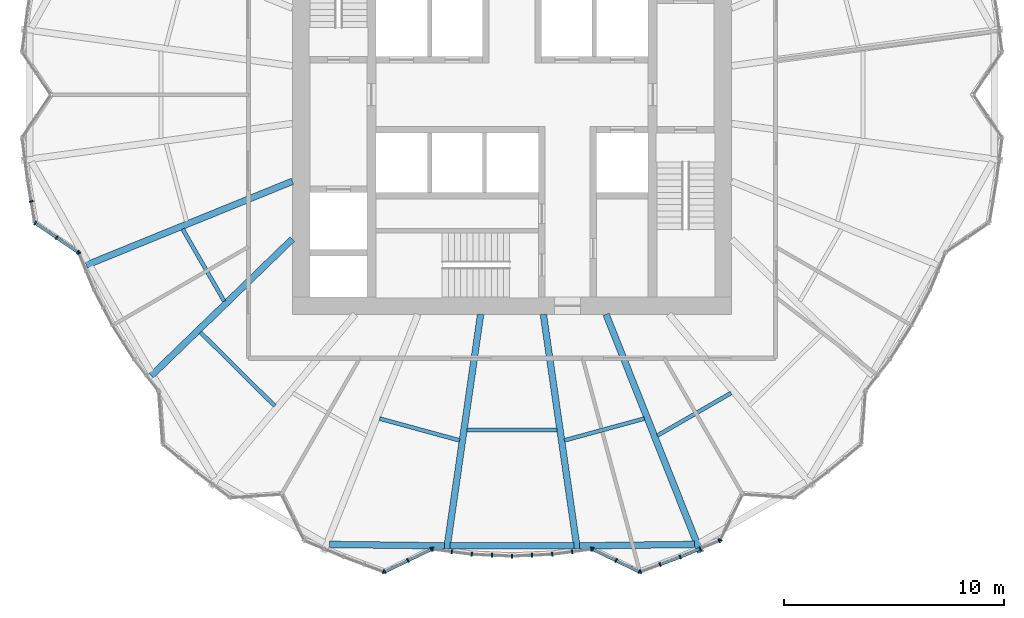
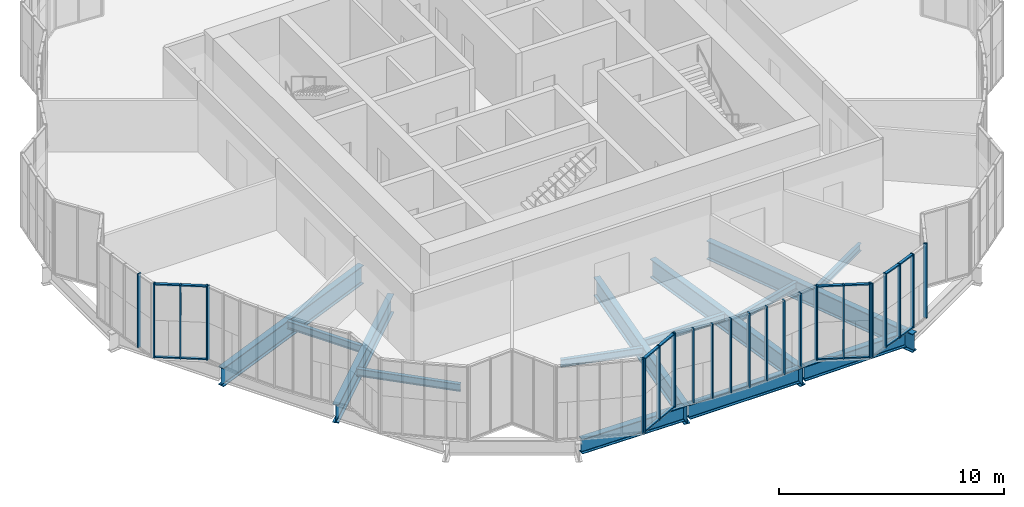
# One storey, part 2 of 22: 43 members, 14 beams, 13 elements without a shape of their own.
"""IFC4 building model written with IfcOpenShell, lengths in metres."""

from ifc_helpers import new_model, si_unit, direction, frame, origin, origin_2d, place, context, subcontext, project, spatial, rectangle, i_section, extrude, material, material_profile, profile_set, type_object, element, aggregate, save


model = new_model("IFC4")

# Units and contexts
model_context = context("Model", 3, precision=1e-05, world=origin(), true_north=direction((0.0, 1.0)))
body_context = subcontext(model_context, "Body", "Model", "MODEL_VIEW")
ifc_project = project(units=[si_unit("LENGTHUNIT", "METRE"), si_unit("AREAUNIT", "SQUARE_METRE"), si_unit("VOLUMEUNIT", "CUBIC_METRE"), si_unit("PLANEANGLEUNIT", "RADIAN"), si_unit("MASSUNIT", "GRAM", prefix="KILO")], contexts=[model_context])

# Site, building, storey
site_placement = place(None, origin())
site = spatial("IfcSite", under=ifc_project, at=site_placement, CompositionType="ELEMENT")
building_placement = place(site_placement, origin())
building = spatial("IfcBuilding", under=site, at=building_placement, Name="Golbaran Civic Tower", CompositionType="ELEMENT")
storey_placement = place(building_placement, frame((0.0, 0.0, 29.0)))
storey = spatial("IfcBuildingStorey", under=building, at=storey_placement, Name="L06", CompositionType="ELEMENT", Elevation=29.0)

# Beams
ifc_material_1 = material(Name="Steel S355", Category="steel")
ifc_material_profile_1 = material_profile(ifc_material_1, i_section(OverallWidth=0.300048828125, OverallDepth=0.800048828125, WebThickness=0.017578125, FlangeThickness=0.032958984375, FilletRadius=0.030029296875, at=origin_2d()), Name="HEB 800")
ifc_profile_set_1 = profile_set([ifc_material_profile_1], Name="Steel S355")
beam_type_1 = type_object("IfcBeamType", Name="EDGE BEAM HEB 800", PredefinedType="BEAM", material=ifc_profile_set_1)
beam_1_placement = place(storey_placement, frame((-8.302734375, -20.47509765625, -0.60009765625), z_axis=(0.999918616473, -0.012757759606, 0.0), x_axis=(0.012757759606, 0.999918616473, 0.0)))
element("IfcBeam", 1, at=beam_1_placement, inside=storey, type_object=beam_type_1, Name="Edge beam 247.63 L06", PredefinedType="BEAM", context=body_context, shape_type="SweptSolid", body=[
    extrude(i_section(OverallWidth=0.300048828125, OverallDepth=0.800048828125, WebThickness=0.017578125, FlangeThickness=0.032958984375, FilletRadius=0.030029296875, at=origin_2d()), origin(), (0.0, 0.0, 1.0), 5.224365234375),
])
beam_2_placement = place(storey_placement, frame((-2.81640625, -20.54345703125, -0.60009765625), z_axis=(1.0, 0.0, 0.0), x_axis=(0.0, 1.0, 0.0)))
element("IfcBeam", 2, at=beam_2_placement, inside=storey, type_object=beam_type_1, Name="Edge beam 261.83 L06", PredefinedType="BEAM", context=body_context, shape_type="SweptSolid", body=[
    extrude(i_section(OverallWidth=0.300048828125, OverallDepth=0.800048828125, WebThickness=0.017578125, FlangeThickness=0.032958984375, FilletRadius=0.030029296875, at=origin_2d()), origin(), (0.0, 0.0, 1.0), 5.6328125),
])
beam_3_placement = place(storey_placement, frame((3.078857421875, -20.541748046875, -0.60009765625), z_axis=(0.999918616473, 0.012757759606, 0.0), x_axis=(-0.012757759606, 0.999918616473, 0.0)))
element("IfcBeam", 3, at=beam_3_placement, inside=storey, type_object=beam_type_1, Name="Edge beam 278.17 L06", PredefinedType="BEAM", context=body_context, shape_type="SweptSolid", body=[
    extrude(i_section(OverallWidth=0.300048828125, OverallDepth=0.800048828125, WebThickness=0.017578125, FlangeThickness=0.032958984375, FilletRadius=0.030029296875, at=origin_2d()), origin(), (0.0, 0.0, 1.0), 5.224365234375),
])
ifc_material_profile_2 = material_profile(ifc_material_1, i_section(OverallWidth=0.179931640625, OverallDepth=0.39990234375, WebThickness=0.008544921875, FlangeThickness=0.013427734375, FilletRadius=0.02099609375, at=origin_2d()), Name="IPE 400")
ifc_profile_set_2 = profile_set([ifc_material_profile_2], Name="Steel S355")
beam_type_2 = type_object("IfcBeamType", Name="FLOOR INFILL BEAM IPE 400", PredefinedType="BEAM", material=ifc_profile_set_2)
beam_4_placement = place(storey_placement, frame((-14.9990234375, -6.117431640625, -0.39990234375), z_axis=(0.499964129797, -0.866046112465, 0.0), x_axis=(0.866046112465, 0.499964129797, 0.0)))
element("IfcBeam", 4, at=beam_4_placement, inside=storey, type_object=beam_type_2, Name="Infill beam 210.00 L06", PredefinedType="BEAM", context=body_context, shape_type="SweptSolid", body=[
    extrude(i_section(OverallWidth=0.179931640625, OverallDepth=0.39990234375, WebThickness=0.008544921875, FlangeThickness=0.013427734375, FilletRadius=0.02099609375, at=origin_2d()), origin(), (0.0, 0.0, 1.0), 3.789306640625),
])
beam_5_placement = place(storey_placement, frame((-14.18994140625, -10.813232421875, -0.39990234375), z_axis=(0.710429956517, -0.703767914077, 0.0), x_axis=(0.703767914077, 0.710429956517, 0.0)))
element("IfcBeam", 5, at=beam_5_placement, inside=storey, type_object=beam_type_2, Name="Infill beam 225.27 L06", PredefinedType="BEAM", context=body_context, shape_type="SweptSolid", body=[
    extrude(i_section(OverallWidth=0.179931640625, OverallDepth=0.39990234375, WebThickness=0.008544921875, FlangeThickness=0.013427734375, FilletRadius=0.02099609375, at=origin_2d()), origin(), (0.0, 0.0, 1.0), 4.76416015625),
])
beam_6_placement = place(storey_placement, frame((-6.029052734375, -14.745849609375, -0.39990234375), z_axis=(0.964690661411, -0.263385511726, 0.0), x_axis=(0.263385511726, 0.964690661411, 0.0)))
element("IfcBeam", 6, at=beam_6_placement, inside=storey, type_object=beam_type_2, Name="Infill beam 254.73 L06", PredefinedType="BEAM", context=body_context, shape_type="SweptSolid", body=[
    extrude(i_section(OverallWidth=0.179931640625, OverallDepth=0.39990234375, WebThickness=0.008544921875, FlangeThickness=0.013427734375, FilletRadius=0.02099609375, at=origin_2d()), origin(), (0.0, 0.0, 1.0), 3.775390625),
])
beam_7_placement = place(storey_placement, frame((-2.056884765625, -15.271728515625, -0.39990234375), z_axis=(1.0, 0.0, 0.0), x_axis=(0.0, 1.0, 0.0)))
element("IfcBeam", 7, at=beam_7_placement, inside=storey, type_object=beam_type_2, Name="Infill beam 270.00 L06", PredefinedType="BEAM", context=body_context, shape_type="SweptSolid", body=[
    extrude(i_section(OverallWidth=0.179931640625, OverallDepth=0.39990234375, WebThickness=0.008544921875, FlangeThickness=0.013427734375, FilletRadius=0.02099609375, at=origin_2d()), origin(), (0.0, 0.0, 1.0), 4.11376953125),
])
beam_8_placement = place(storey_placement, frame((2.386962890625, -15.740234375, -0.39990234375), z_axis=(0.964690661411, 0.263385511726, 0.0), x_axis=(-0.263385511726, 0.964690661411, 0.0)))
element("IfcBeam", 8, at=beam_8_placement, inside=storey, type_object=beam_type_2, Name="Infill beam 285.27 L06", PredefinedType="BEAM", context=body_context, shape_type="SweptSolid", body=[
    extrude(i_section(OverallWidth=0.179931640625, OverallDepth=0.39990234375, WebThickness=0.008544921875, FlangeThickness=0.013427734375, FilletRadius=0.02099609375, at=origin_2d()), origin(), (0.0, 0.0, 1.0), 3.775390625),
])
beam_9_placement = place(storey_placement, frame((6.616455078125, -15.521240234375, -0.39990234375), z_axis=(0.866023143435, 0.50000391502, 0.0), x_axis=(-0.50000391502, 0.866023143435, 0.0)))
element("IfcBeam", 9, at=beam_9_placement, inside=storey, type_object=beam_type_2, Name="Infill beam 300.00 L06", PredefinedType="BEAM", context=body_context, shape_type="SweptSolid", body=[
    extrude(i_section(OverallWidth=0.179931640625, OverallDepth=0.39990234375, WebThickness=0.008544921875, FlangeThickness=0.013427734375, FilletRadius=0.02099609375, at=origin_2d()), origin(), (0.0, 0.0, 1.0), 3.87939453125),
])

# Curtain wall, member
ifc_material_2 = material(Name="Aluminium and glass", Category="aluminium")
curtain_wall_type = type_object("IfcCurtainWallType", Name="INNER SKIN CURTAIN WALL", PredefinedType="NOTDEFINED", material=ifc_material_2)
curtain_wall_1_placement = place(storey_placement, origin())
curtain_wall_1 = element("IfcCurtainWall", 10, at=curtain_wall_1_placement, inside=storey, type_object=curtain_wall_type, Name="Inner skin L06 facet 39 CW1", ObjectType="INNER SKIN", PredefinedType="USERDEFINED")
ifc_material_3 = material(Name="Aluminium", Category="aluminium")
ifc_material_profile_3 = material_profile(ifc_material_3, rectangle(XDim=0.179931640625, YDim=0.06494140625, at=origin_2d()), Name="INNER SKIN CURTAIN WALL MULLION")
ifc_profile_set_3 = profile_set([ifc_material_profile_3], Name="Aluminium")
member_type_1 = type_object("IfcMemberType", Name="INNER SKIN CURTAIN WALL MULLION", PredefinedType="MULLION", material=ifc_profile_set_3)
member_1_placement = place(storey_placement, frame((-21.896484375, -4.856689453125, 0.0), z_axis=(0.0, 0.0, 1.0), x_axis=(0.986391272574, 0.164414894066, 0.0)))
member_1 = element("IfcMember", 11, at=member_1_placement, type_object=member_type_1, Name="CW1 mullion 2", PredefinedType="MULLION", context=body_context, shape_type="SweptSolid", body=[
    extrude(rectangle(XDim=0.179931640625, YDim=0.06494140625, at=origin_2d()), origin(), (0.0, 0.0, 1.0), 4.0),
])
aggregate(curtain_wall_1, [member_1])

# Curtain wall, members
curtain_wall_2_placement = place(storey_placement, origin())
curtain_wall_2 = element("IfcCurtainWall", 12, at=curtain_wall_2_placement, inside=storey, type_object=curtain_wall_type, Name="Inner skin L06 facet 40 CW1", ObjectType="INNER SKIN", PredefinedType="USERDEFINED")
member_2_placement = place(storey_placement, frame((-21.70849609375, -5.84228515625, 0.0), z_axis=(0.0, 0.0, 1.0), x_axis=(0.562936359185, 0.826500245316, 0.0)))
member_2 = element("IfcMember", 13, at=member_2_placement, type_object=member_type_1, Name="CW1 mullion 1", PredefinedType="MULLION", context=body_context, shape_type="SweptSolid", body=[
    extrude(rectangle(XDim=0.179931640625, YDim=0.06494140625, at=origin_2d()), origin(), (0.0, 0.0, 1.0), 4.0),
])
member_3_placement = place(storey_placement, frame((-20.73681640625, -6.504150390625, 0.0), z_axis=(0.0, 0.0, 1.0), x_axis=(0.562936359185, 0.826500245316, 0.0)))
member_3 = element("IfcMember", 14, at=member_3_placement, type_object=member_type_1, Name="CW1 mullion 2", PredefinedType="MULLION", context=body_context, shape_type="SweptSolid", body=[
    extrude(rectangle(XDim=0.179931640625, YDim=0.06494140625, at=origin_2d()), origin(), (0.0, 0.0, 1.0), 4.0),
])
member_4_placement = place(storey_placement, frame((-19.76513671875, -7.165771484375, 0.0), z_axis=(0.0, 0.0, 1.0), x_axis=(0.562936359185, 0.826500245316, 0.0)))
member_4 = element("IfcMember", 15, at=member_4_placement, type_object=member_type_1, Name="CW1 mullion 3", PredefinedType="MULLION", context=body_context, shape_type="SweptSolid", body=[
    extrude(rectangle(XDim=0.179931640625, YDim=0.06494140625, at=origin_2d()), origin(), (0.0, 0.0, 1.0), 4.0),
])

# Curtain wall, member
curtain_wall_3_placement = place(storey_placement, origin())
curtain_wall_3 = element("IfcCurtainWall", 16, at=curtain_wall_3_placement, inside=storey, type_object=curtain_wall_type, Name="Inner skin L06 facet 41 CW1", ObjectType="INNER SKIN", PredefinedType="USERDEFINED")
member_5_placement = place(storey_placement, frame((-19.725830078125, -7.214111328125, 0.0), z_axis=(0.0, 0.0, 1.0), x_axis=(0.923879532471, 0.382683432462, 0.0)))
member_5 = element("IfcMember", 17, at=member_5_placement, type_object=member_type_1, Name="CW1 mullion 1", PredefinedType="MULLION", context=body_context, shape_type="SweptSolid", body=[
    extrude(rectangle(XDim=0.179931640625, YDim=0.06494140625, at=origin_2d()), origin(), (0.0, 0.0, 1.0), 4.0),
])
aggregate(curtain_wall_3, [member_5])

curtain_wall_4_placement = place(storey_placement, origin())
curtain_wall_4 = element("IfcCurtainWall", 18, at=curtain_wall_4_placement, inside=storey, type_object=curtain_wall_type, Name="Inner skin L06 facet 51 CW1", ObjectType="INNER SKIN", PredefinedType="USERDEFINED")
member_6_placement = place(storey_placement, frame((-5.8544921875, -21.723876953125, 0.0), z_axis=(0.0, 0.0, 1.0), x_axis=(0.350808161461, 0.936447347079, 0.0)))
member_6 = element("IfcMember", 19, at=member_6_placement, type_object=member_type_1, Name="CW1 mullion 3", PredefinedType="MULLION", context=body_context, shape_type="SweptSolid", body=[
    extrude(rectangle(XDim=0.179931640625, YDim=0.06494140625, at=origin_2d()), origin(), (0.0, 0.0, 1.0), 4.0),
])
aggregate(curtain_wall_4, [member_6])

# Curtain wall, members
curtain_wall_5_placement = place(storey_placement, origin())
curtain_wall_5 = element("IfcCurtainWall", 20, at=curtain_wall_5_placement, inside=storey, type_object=curtain_wall_type, Name="Inner skin L06 facet 52 CW1", ObjectType="INNER SKIN", PredefinedType="USERDEFINED")
member_7_placement = place(storey_placement, frame((-5.794677734375, -21.72119140625, 0.0), z_axis=(0.0, 0.0, 1.0), x_axis=(-0.434302029259, 0.900767310343, 0.0)))
member_7 = element("IfcMember", 21, at=member_7_placement, type_object=member_type_1, Name="CW1 mullion 1", PredefinedType="MULLION", context=body_context, shape_type="SweptSolid", body=[
    extrude(rectangle(XDim=0.179931640625, YDim=0.06494140625, at=origin_2d()), origin(), (0.0, 0.0, 1.0), 4.0),
])
member_8_placement = place(storey_placement, frame((-4.735595703125, -21.210693359375, 0.0), z_axis=(0.0, 0.0, 1.0), x_axis=(-0.434302029259, 0.900767310343, 0.0)))
member_8 = element("IfcMember", 22, at=member_8_placement, type_object=member_type_1, Name="CW1 mullion 2", PredefinedType="MULLION", context=body_context, shape_type="SweptSolid", body=[
    extrude(rectangle(XDim=0.179931640625, YDim=0.06494140625, at=origin_2d()), origin(), (0.0, 0.0, 1.0), 4.0),
])
member_9_placement = place(storey_placement, frame((-3.6767578125, -20.699951171875, 0.0), z_axis=(0.0, 0.0, 1.0), x_axis=(-0.434302029259, 0.900767310343, 0.0)))
member_9 = element("IfcMember", 23, at=member_9_placement, type_object=member_type_1, Name="CW1 mullion 3", PredefinedType="MULLION", context=body_context, shape_type="SweptSolid", body=[
    extrude(rectangle(XDim=0.179931640625, YDim=0.06494140625, at=origin_2d()), origin(), (0.0, 0.0, 1.0), 4.0),
])

curtain_wall_6_placement = place(storey_placement, origin())
curtain_wall_6 = element("IfcCurtainWall", 24, at=curtain_wall_6_placement, inside=storey, type_object=curtain_wall_type, Name="Inner skin L06 facet 53 CW1", ObjectType="INNER SKIN", PredefinedType="USERDEFINED")
member_10_placement = place(storey_placement, frame((-3.615234375, -20.690185546875, 0.0), z_axis=(0.0, 0.0, 1.0), x_axis=(0.130526191978, 0.991444861406, 0.0)))
member_10 = element("IfcMember", 25, at=member_10_placement, type_object=member_type_1, Name="CW1 mullion 1", PredefinedType="MULLION", context=body_context, shape_type="SweptSolid", body=[
    extrude(rectangle(XDim=0.179931640625, YDim=0.06494140625, at=origin_2d()), origin(), (0.0, 0.0, 1.0), 4.0),
])
member_11_placement = place(storey_placement, frame((-2.739013671875, -20.805419921875, 0.0), z_axis=(0.0, 0.0, 1.0), x_axis=(0.130526191978, 0.991444861406, 0.0)))
member_11 = element("IfcMember", 26, at=member_11_placement, type_object=member_type_1, Name="CW1 mullion 2", PredefinedType="MULLION", context=body_context, shape_type="SweptSolid", body=[
    extrude(rectangle(XDim=0.179931640625, YDim=0.06494140625, at=origin_2d()), origin(), (0.0, 0.0, 1.0), 4.0),
])
member_12_placement = place(storey_placement, frame((-1.830810546875, -20.925048828125, 0.0), z_axis=(0.0, 0.0, 1.0), x_axis=(0.087155742748, 0.996194698092, 0.0)))
member_12 = element("IfcMember", 27, at=member_12_placement, type_object=member_type_1, Name="CW1 mullion 3", PredefinedType="MULLION", context=body_context, shape_type="SweptSolid", body=[
    extrude(rectangle(XDim=0.179931640625, YDim=0.06494140625, at=origin_2d()), origin(), (0.0, 0.0, 1.0), 4.0),
])
aggregate(curtain_wall_6, [member_10, member_11, member_12])

curtain_wall_7_placement = place(storey_placement, origin())
curtain_wall_7 = element("IfcCurtainWall", 28, at=curtain_wall_7_placement, inside=storey, type_object=curtain_wall_type, Name="Inner skin L06 facet 54 CW1", ObjectType="INNER SKIN", PredefinedType="USERDEFINED")
member_13_placement = place(storey_placement, frame((-0.915283203125, -20.965087890625, 0.0), z_axis=(0.0, 0.0, 1.0), x_axis=(0.043619387609, 0.999048221571, 0.0)))
member_13 = element("IfcMember", 29, at=member_13_placement, type_object=member_type_1, Name="CW1 mullion 2", PredefinedType="MULLION", context=body_context, shape_type="SweptSolid", body=[
    extrude(rectangle(XDim=0.179931640625, YDim=0.06494140625, at=origin_2d()), origin(), (0.0, 0.0, 1.0), 4.0),
])
member_14_placement = place(storey_placement, frame((0.0, -21.0048828125, 0.0), z_axis=(0.0, 0.0, 1.0), x_axis=(1.22e-10, 1.0, 0.0)))
member_14 = element("IfcMember", 30, at=member_14_placement, type_object=member_type_1, Name="CW1 mullion 3", PredefinedType="MULLION", context=body_context, shape_type="SweptSolid", body=[
    extrude(rectangle(XDim=0.179931640625, YDim=0.06494140625, at=origin_2d()), origin(), (0.0, 0.0, 1.0), 4.0),
])
aggregate(curtain_wall_7, [member_13, member_14])

curtain_wall_8_placement = place(storey_placement, origin())
curtain_wall_8 = element("IfcCurtainWall", 31, at=curtain_wall_8_placement, inside=storey, type_object=curtain_wall_type, Name="Inner skin L06 facet 55 CW1", ObjectType="INNER SKIN", PredefinedType="USERDEFINED")
member_15_placement = place(storey_placement, frame((0.915283203125, -20.965087890625, 0.0), z_axis=(0.0, 0.0, 1.0), x_axis=(-0.043619387609, 0.999048221571, 0.0)))
member_15 = element("IfcMember", 32, at=member_15_placement, type_object=member_type_1, Name="CW1 mullion 2", PredefinedType="MULLION", context=body_context, shape_type="SweptSolid", body=[
    extrude(rectangle(XDim=0.179931640625, YDim=0.06494140625, at=origin_2d()), origin(), (0.0, 0.0, 1.0), 4.0),
])
member_16_placement = place(storey_placement, frame((1.830810546875, -20.925048828125, 0.0), z_axis=(0.0, 0.0, 1.0), x_axis=(-0.08715574273, 0.996194698093, 0.0)))
member_16 = element("IfcMember", 33, at=member_16_placement, type_object=member_type_1, Name="CW1 mullion 3", PredefinedType="MULLION", context=body_context, shape_type="SweptSolid", body=[
    extrude(rectangle(XDim=0.179931640625, YDim=0.06494140625, at=origin_2d()), origin(), (0.0, 0.0, 1.0), 4.0),
])
aggregate(curtain_wall_8, [member_15, member_16])

curtain_wall_9_placement = place(storey_placement, origin())
curtain_wall_9 = element("IfcCurtainWall", 34, at=curtain_wall_9_placement, inside=storey, type_object=curtain_wall_type, Name="Inner skin L06 facet 56 CW1", ObjectType="INNER SKIN", PredefinedType="USERDEFINED")
member_17_placement = place(storey_placement, frame((2.739013671875, -20.805419921875, 0.0), z_axis=(0.0, 0.0, 1.0), x_axis=(-0.130526191978, 0.991444861406, 0.0)))
member_17 = element("IfcMember", 35, at=member_17_placement, type_object=member_type_1, Name="CW1 mullion 2", PredefinedType="MULLION", context=body_context, shape_type="SweptSolid", body=[
    extrude(rectangle(XDim=0.179931640625, YDim=0.06494140625, at=origin_2d()), origin(), (0.0, 0.0, 1.0), 4.0),
])
member_18_placement = place(storey_placement, frame((3.615234375, -20.690185546875, 0.0), z_axis=(0.0, 0.0, 1.0), x_axis=(-0.130526191978, 0.991444861406, 0.0)))
member_18 = element("IfcMember", 36, at=member_18_placement, type_object=member_type_1, Name="CW1 mullion 3", PredefinedType="MULLION", context=body_context, shape_type="SweptSolid", body=[
    extrude(rectangle(XDim=0.179931640625, YDim=0.06494140625, at=origin_2d()), origin(), (0.0, 0.0, 1.0), 4.0),
])
aggregate(curtain_wall_9, [member_17, member_18])

curtain_wall_10_placement = place(storey_placement, origin())
curtain_wall_10 = element("IfcCurtainWall", 37, at=curtain_wall_10_placement, inside=storey, type_object=curtain_wall_type, Name="Inner skin L06 facet 57 CW1", ObjectType="INNER SKIN", PredefinedType="USERDEFINED")
member_19_placement = place(storey_placement, frame((3.6767578125, -20.699951171875, 0.0), z_axis=(0.0, 0.0, 1.0), x_axis=(0.434302029259, 0.900767310343, 0.0)))
member_19 = element("IfcMember", 38, at=member_19_placement, type_object=member_type_1, Name="CW1 mullion 1", PredefinedType="MULLION", context=body_context, shape_type="SweptSolid", body=[
    extrude(rectangle(XDim=0.179931640625, YDim=0.06494140625, at=origin_2d()), origin(), (0.0, 0.0, 1.0), 4.0),
])
member_20_placement = place(storey_placement, frame((4.735595703125, -21.210693359375, 0.0), z_axis=(0.0, 0.0, 1.0), x_axis=(0.434302029259, 0.900767310343, 0.0)))
member_20 = element("IfcMember", 39, at=member_20_placement, type_object=member_type_1, Name="CW1 mullion 2", PredefinedType="MULLION", context=body_context, shape_type="SweptSolid", body=[
    extrude(rectangle(XDim=0.179931640625, YDim=0.06494140625, at=origin_2d()), origin(), (0.0, 0.0, 1.0), 4.0),
])
member_21_placement = place(storey_placement, frame((5.794677734375, -21.72119140625, 0.0), z_axis=(0.0, 0.0, 1.0), x_axis=(0.434302029259, 0.900767310343, 0.0)))
member_21 = element("IfcMember", 40, at=member_21_placement, type_object=member_type_1, Name="CW1 mullion 3", PredefinedType="MULLION", context=body_context, shape_type="SweptSolid", body=[
    extrude(rectangle(XDim=0.179931640625, YDim=0.06494140625, at=origin_2d()), origin(), (0.0, 0.0, 1.0), 4.0),
])

curtain_wall_11_placement = place(storey_placement, origin())
curtain_wall_11 = element("IfcCurtainWall", 41, at=curtain_wall_11_placement, inside=storey, type_object=curtain_wall_type, Name="Inner skin L06 facet 58 CW1", ObjectType="INNER SKIN", PredefinedType="USERDEFINED")
member_22_placement = place(storey_placement, frame((5.8544921875, -21.723876953125, 0.0), z_axis=(0.0, 0.0, 1.0), x_axis=(-0.350808161461, 0.936447347079, 0.0)))
member_22 = element("IfcMember", 42, at=member_22_placement, type_object=member_type_1, Name="CW1 mullion 1", PredefinedType="MULLION", context=body_context, shape_type="SweptSolid", body=[
    extrude(rectangle(XDim=0.179931640625, YDim=0.06494140625, at=origin_2d()), origin(), (0.0, 0.0, 1.0), 4.0),
])
member_23_placement = place(storey_placement, frame((6.7421875, -21.391357421875, 0.0), z_axis=(0.0, 0.0, 1.0), x_axis=(-0.350808161461, 0.936447347079, 0.0)))
member_23 = element("IfcMember", 43, at=member_23_placement, type_object=member_type_1, Name="CW1 mullion 2", PredefinedType="MULLION", context=body_context, shape_type="SweptSolid", body=[
    extrude(rectangle(XDim=0.179931640625, YDim=0.06494140625, at=origin_2d()), origin(), (0.0, 0.0, 1.0), 4.0),
])
member_24_placement = place(storey_placement, frame((7.66064453125, -21.047119140625, 0.0), z_axis=(0.0, 0.0, 1.0), x_axis=(-0.366799627817, 0.930299969383, 0.0)))
member_24 = element("IfcMember", 44, at=member_24_placement, type_object=member_type_1, Name="CW1 mullion 3", PredefinedType="MULLION", context=body_context, shape_type="SweptSolid", body=[
    extrude(rectangle(XDim=0.179931640625, YDim=0.06494140625, at=origin_2d()), origin(), (0.0, 0.0, 1.0), 4.0),
])

curtain_wall_12_placement = place(storey_placement, origin())
curtain_wall_12 = element("IfcCurtainWall", 45, at=curtain_wall_12_placement, inside=storey, type_object=curtain_wall_type, Name="Inner skin L06 facet 59 CW1", ObjectType="INNER SKIN", PredefinedType="USERDEFINED")
member_25_placement = place(storey_placement, frame((8.563232421875, -20.67333984375, 0.0), z_axis=(0.0, 0.0, 1.0), x_axis=(-0.382683432268, 0.923879532551, 0.0)))
member_25 = element("IfcMember", 46, at=member_25_placement, type_object=member_type_1, Name="CW1 mullion 2", PredefinedType="MULLION", context=body_context, shape_type="SweptSolid", body=[
    extrude(rectangle(XDim=0.179931640625, YDim=0.06494140625, at=origin_2d()), origin(), (0.0, 0.0, 1.0), 4.0),
])
member_26_placement = place(storey_placement, frame((9.435791015625, -20.31201171875, 0.0), z_axis=(0.0, 0.0, 1.0), x_axis=(-0.382683432268, 0.923879532551, 0.0)))
member_26 = element("IfcMember", 47, at=member_26_placement, type_object=member_type_1, Name="CW1 mullion 3", PredefinedType="MULLION", context=body_context, shape_type="SweptSolid", body=[
    extrude(rectangle(XDim=0.179931640625, YDim=0.06494140625, at=origin_2d()), origin(), (0.0, 0.0, 1.0), 4.0),
])

# Curtain wall, member
curtain_wall_13_placement = place(storey_placement, origin())
curtain_wall_13 = element("IfcCurtainWall", 48, at=curtain_wall_13_placement, inside=storey, type_object=curtain_wall_type, Name="Inner skin L06 facet 60 CW1", ObjectType="INNER SKIN", PredefinedType="USERDEFINED")
member_27_placement = place(storey_placement, frame((9.480224609375, -20.270263671875, 0.0), z_axis=(0.0, 0.0, 1.0), x_axis=(-0.897405438418, 0.441206843893, 0.0)))
member_27 = element("IfcMember", 49, at=member_27_placement, type_object=member_type_1, Name="CW1 mullion 1", PredefinedType="MULLION", context=body_context, shape_type="SweptSolid", body=[
    extrude(rectangle(XDim=0.179931640625, YDim=0.06494140625, at=origin_2d()), origin(), (0.0, 0.0, 1.0), 4.0),
])
aggregate(curtain_wall_13, [member_27])

# Member
ifc_material_profile_4 = material_profile(ifc_material_3, rectangle(XDim=0.139892578125, YDim=0.06494140625, at=origin_2d()), Name="INNER SKIN CURTAIN WALL TRANSOM")
ifc_profile_set_4 = profile_set([ifc_material_profile_4], Name="Aluminium")
member_type_2 = type_object("IfcMemberType", Name="INNER SKIN CURTAIN WALL TRANSOM", PredefinedType="USERDEFINED", material=ifc_profile_set_4)
member_28_placement = place(storey_placement, frame((-21.681640625, -5.860595703125, 0.032470703125), z_axis=(0.826496976354, -0.562941158628, 0.0), x_axis=(0.562941158628, 0.826496976354, 0.0)))
member_28 = element("IfcMember", 50, at=member_28_placement, type_object=member_type_2, Name="CW1 transom 1.1", ObjectType="TRANSOM", PredefinedType="USERDEFINED", context=body_context, shape_type="SweptSolid", body=[
    extrude(rectangle(XDim=0.139892578125, YDim=0.06494140625, at=origin_2d()), origin(), (0.0, 0.0, 1.0), 1.110595703125),
])

member_29_placement = place(storey_placement, frame((-21.681640625, -5.860595703125, 3.967529296875), z_axis=(0.826496976354, -0.562941158628, 0.0), x_axis=(0.562941158628, 0.826496976354, 0.0)))
member_29 = element("IfcMember", 51, at=member_29_placement, type_object=member_type_2, Name="CW1 transom 1.2", ObjectType="TRANSOM", PredefinedType="USERDEFINED", context=body_context, shape_type="SweptSolid", body=[
    extrude(rectangle(XDim=0.139892578125, YDim=0.06494140625, at=origin_2d()), origin(), (0.0, 0.0, 1.0), 1.110595703125),
])

member_30_placement = place(storey_placement, frame((-20.7099609375, -6.522216796875, 0.032470703125), z_axis=(0.826496976354, -0.562941158628, 0.0), x_axis=(0.562941158628, 0.826496976354, 0.0)))
member_30 = element("IfcMember", 52, at=member_30_placement, type_object=member_type_2, Name="CW1 transom 2.1", ObjectType="TRANSOM", PredefinedType="USERDEFINED", context=body_context, shape_type="SweptSolid", body=[
    extrude(rectangle(XDim=0.139892578125, YDim=0.06494140625, at=origin_2d()), origin(), (0.0, 0.0, 1.0), 1.110595703125),
])

member_31_placement = place(storey_placement, frame((-20.7099609375, -6.522216796875, 3.967529296875), z_axis=(0.826496976354, -0.562941158628, 0.0), x_axis=(0.562941158628, 0.826496976354, 0.0)))
member_31 = element("IfcMember", 53, at=member_31_placement, type_object=member_type_2, Name="CW1 transom 2.2", ObjectType="TRANSOM", PredefinedType="USERDEFINED", context=body_context, shape_type="SweptSolid", body=[
    extrude(rectangle(XDim=0.139892578125, YDim=0.06494140625, at=origin_2d()), origin(), (0.0, 0.0, 1.0), 1.110595703125),
])

aggregate(curtain_wall_2, [member_2, member_3, member_4, member_28, member_29, member_30, member_31])

member_32_placement = place(storey_placement, frame((-5.765380859375, -21.70703125, 0.032470703125), z_axis=(0.900753325864, 0.434331032676, 0.0), x_axis=(-0.434331032676, 0.900753325864, 0.0)))
member_32 = element("IfcMember", 54, at=member_32_placement, type_object=member_type_2, Name="CW1 transom 1.1", ObjectType="TRANSOM", PredefinedType="USERDEFINED", context=body_context, shape_type="SweptSolid", body=[
    extrude(rectangle(XDim=0.139892578125, YDim=0.06494140625, at=origin_2d()), origin(), (0.0, 0.0, 1.0), 1.11083984375),
])

member_33_placement = place(storey_placement, frame((-5.765380859375, -21.70703125, 3.967529296875), z_axis=(0.900753325864, 0.434331032676, 0.0), x_axis=(-0.434331032676, 0.900753325864, 0.0)))
member_33 = element("IfcMember", 55, at=member_33_placement, type_object=member_type_2, Name="CW1 transom 1.2", ObjectType="TRANSOM", PredefinedType="USERDEFINED", context=body_context, shape_type="SweptSolid", body=[
    extrude(rectangle(XDim=0.139892578125, YDim=0.06494140625, at=origin_2d()), origin(), (0.0, 0.0, 1.0), 1.11083984375),
])

member_34_placement = place(storey_placement, frame((-4.70654296875, -21.196533203125, 0.032470703125), z_axis=(0.900753325864, 0.434331032676, 0.0), x_axis=(-0.434331032676, 0.900753325864, 0.0)))
member_34 = element("IfcMember", 56, at=member_34_placement, type_object=member_type_2, Name="CW1 transom 2.1", ObjectType="TRANSOM", PredefinedType="USERDEFINED", context=body_context, shape_type="SweptSolid", body=[
    extrude(rectangle(XDim=0.139892578125, YDim=0.06494140625, at=origin_2d()), origin(), (0.0, 0.0, 1.0), 1.11083984375),
])

member_35_placement = place(storey_placement, frame((-4.70654296875, -21.196533203125, 3.967529296875), z_axis=(0.900753325864, 0.434331032676, 0.0), x_axis=(-0.434331032676, 0.900753325864, 0.0)))
member_35 = element("IfcMember", 57, at=member_35_placement, type_object=member_type_2, Name="CW1 transom 2.2", ObjectType="TRANSOM", PredefinedType="USERDEFINED", context=body_context, shape_type="SweptSolid", body=[
    extrude(rectangle(XDim=0.139892578125, YDim=0.06494140625, at=origin_2d()), origin(), (0.0, 0.0, 1.0), 1.11083984375),
])

aggregate(curtain_wall_5, [member_7, member_8, member_9, member_32, member_33, member_34, member_35])

member_36_placement = place(storey_placement, frame((3.7060546875, -20.714111328125, 0.032470703125), z_axis=(0.900753325864, -0.434331032676, 0.0), x_axis=(0.434331032676, 0.900753325864, 0.0)))
member_36 = element("IfcMember", 58, at=member_36_placement, type_object=member_type_2, Name="CW1 transom 1.1", ObjectType="TRANSOM", PredefinedType="USERDEFINED", context=body_context, shape_type="SweptSolid", body=[
    extrude(rectangle(XDim=0.139892578125, YDim=0.06494140625, at=origin_2d()), origin(), (0.0, 0.0, 1.0), 1.11083984375),
])

member_37_placement = place(storey_placement, frame((3.7060546875, -20.714111328125, 3.967529296875), z_axis=(0.900753325864, -0.434331032676, 0.0), x_axis=(0.434331032676, 0.900753325864, 0.0)))
member_37 = element("IfcMember", 59, at=member_37_placement, type_object=member_type_2, Name="CW1 transom 1.2", ObjectType="TRANSOM", PredefinedType="USERDEFINED", context=body_context, shape_type="SweptSolid", body=[
    extrude(rectangle(XDim=0.139892578125, YDim=0.06494140625, at=origin_2d()), origin(), (0.0, 0.0, 1.0), 1.11083984375),
])

member_38_placement = place(storey_placement, frame((4.764892578125, -21.224609375, 0.032470703125), z_axis=(0.900753325864, -0.434331032676, 0.0), x_axis=(0.434331032676, 0.900753325864, 0.0)))
member_38 = element("IfcMember", 60, at=member_38_placement, type_object=member_type_2, Name="CW1 transom 2.1", ObjectType="TRANSOM", PredefinedType="USERDEFINED", context=body_context, shape_type="SweptSolid", body=[
    extrude(rectangle(XDim=0.139892578125, YDim=0.06494140625, at=origin_2d()), origin(), (0.0, 0.0, 1.0), 1.11083984375),
])

member_39_placement = place(storey_placement, frame((4.764892578125, -21.224609375, 3.967529296875), z_axis=(0.900753325864, -0.434331032676, 0.0), x_axis=(0.434331032676, 0.900753325864, 0.0)))
member_39 = element("IfcMember", 61, at=member_39_placement, type_object=member_type_2, Name="CW1 transom 2.2", ObjectType="TRANSOM", PredefinedType="USERDEFINED", context=body_context, shape_type="SweptSolid", body=[
    extrude(rectangle(XDim=0.139892578125, YDim=0.06494140625, at=origin_2d()), origin(), (0.0, 0.0, 1.0), 1.11083984375),
])

aggregate(curtain_wall_10, [member_19, member_20, member_21, member_36, member_37, member_38, member_39])

member_40_placement = place(storey_placement, frame((6.772705078125, -21.3798828125, 0.032470703125), z_axis=(0.936416808714, 0.35088966978, 0.0), x_axis=(-0.35088966978, 0.936416808714, 0.0)))
member_40 = element("IfcMember", 62, at=member_40_placement, type_object=member_type_2, Name="CW1 transom 2.1", ObjectType="TRANSOM", PredefinedType="USERDEFINED", context=body_context, shape_type="SweptSolid", body=[
    extrude(rectangle(XDim=0.139892578125, YDim=0.06494140625, at=origin_2d()), origin(), (0.0, 0.0, 1.0), 0.91552734375),
])

member_41_placement = place(storey_placement, frame((6.772705078125, -21.3798828125, 3.967529296875), z_axis=(0.936416808714, 0.35088966978, 0.0), x_axis=(-0.35088966978, 0.936416808714, 0.0)))
member_41 = element("IfcMember", 63, at=member_41_placement, type_object=member_type_2, Name="CW1 transom 2.2", ObjectType="TRANSOM", PredefinedType="USERDEFINED", context=body_context, shape_type="SweptSolid", body=[
    extrude(rectangle(XDim=0.139892578125, YDim=0.06494140625, at=origin_2d()), origin(), (0.0, 0.0, 1.0), 0.91552734375),
])

aggregate(curtain_wall_11, [member_22, member_23, member_24, member_40, member_41])

member_42_placement = place(storey_placement, frame((7.690673828125, -21.034912109375, 0.032470703125), z_axis=(0.923827563852, 0.382808871721, 0.0), x_axis=(-0.382808871721, 0.923827563852, 0.0)))
member_42 = element("IfcMember", 64, at=member_42_placement, type_object=member_type_2, Name="CW1 transom 1.1", ObjectType="TRANSOM", PredefinedType="USERDEFINED", context=body_context, shape_type="SweptSolid", body=[
    extrude(rectangle(XDim=0.139892578125, YDim=0.06494140625, at=origin_2d()), origin(), (0.0, 0.0, 1.0), 0.912109375),
])

member_43_placement = place(storey_placement, frame((7.690673828125, -21.034912109375, 3.967529296875), z_axis=(0.923827563852, 0.382808871721, 0.0), x_axis=(-0.382808871721, 0.923827563852, 0.0)))
member_43 = element("IfcMember", 65, at=member_43_placement, type_object=member_type_2, Name="CW1 transom 1.2", ObjectType="TRANSOM", PredefinedType="USERDEFINED", context=body_context, shape_type="SweptSolid", body=[
    extrude(rectangle(XDim=0.139892578125, YDim=0.06494140625, at=origin_2d()), origin(), (0.0, 0.0, 1.0), 0.912109375),
])

aggregate(curtain_wall_12, [member_25, member_26, member_42, member_43])

# Beams
ifc_material_profile_5 = material_profile(ifc_material_1, i_section(OverallWidth=0.300048828125, OverallDepth=1.0, WebThickness=0.01904296875, FlangeThickness=0.035888671875, FilletRadius=0.030029296875, at=origin_2d()), Name="HEB 1000")
ifc_profile_set_5 = profile_set([ifc_material_profile_5], Name="Steel S355")
beam_type_3 = type_object("IfcBeamType", Name="RADIAL FLOOR BEAM HEB 1000", PredefinedType="BEAM", material=ifc_profile_set_5)
beam_10_placement = place(storey_placement, frame((-10.0, -3.94287109375, -0.7099609375), z_axis=(-0.926253197378, -0.376901863019, 0.0), x_axis=(0.376901863019, -0.926253197378, 0.0)))
element("IfcBeam", 66, at=beam_10_placement, inside=storey, type_object=beam_type_3, Name="Radial beam 201.83 L06", PredefinedType="BEAM", context=body_context, shape_type="SweptSolid", body=[
    extrude(i_section(OverallWidth=0.300048828125, OverallDepth=1.0, WebThickness=0.01904296875, FlangeThickness=0.035888671875, FilletRadius=0.030029296875, at=origin_2d()), origin(), (0.0, 0.0, 1.0), 10.130859375),
])
beam_11_placement = place(storey_placement, frame((-10.0, -6.571533203125, -0.7099609375), z_axis=(-0.718092658056, -0.695947508399, 0.0), x_axis=(0.695947508399, -0.718092658056, 0.0)))
element("IfcBeam", 67, at=beam_11_placement, inside=storey, type_object=beam_type_3, Name="Radial beam 218.17 L06", PredefinedType="BEAM", context=body_context, shape_type="SweptSolid", body=[
    extrude(i_section(OverallWidth=0.300048828125, OverallDepth=1.0, WebThickness=0.01904296875, FlangeThickness=0.035888671875, FilletRadius=0.030029296875, at=origin_2d()), origin(), (0.0, 0.0, 1.0), 8.94091796875),
])
for number, where, z_axis, x_axis, name in (
    (68, (-1.428466796875, -10.0, -0.7099609375), (-0.142629809072, -0.989776104765, 0.0), (0.989776104765, -0.142629809072, 0.0), "Radial beam 261.83 L06"),
    (69, (1.428466796875, -10.0, -0.7099609375), (0.142629809072, -0.989776104765, 0.0), (0.989776104765, 0.142629809072, 0.0), "Radial beam 278.17 L06"),
):
    element("IfcBeam", number, at=place(storey_placement, frame(where, z_axis=z_axis, x_axis=x_axis)), inside=storey, type_object=beam_type_3, Name=name, PredefinedType="BEAM", context=body_context, shape_type="SweptSolid", body=[
        extrude(i_section(OverallWidth=0.300048828125, OverallDepth=1.0, WebThickness=0.01904296875, FlangeThickness=0.035888671875, FilletRadius=0.030029296875, at=origin_2d()), origin(), (0.0, 0.0, 1.0), 10.775146484375),
    ])
beam_12_placement = place(storey_placement, frame((4.28564453125, -10.0, -0.7099609375), z_axis=(0.368861889552, -0.92948421527, 0.0), x_axis=(0.92948421527, 0.368861889552, 0.0)))
element("IfcBeam", 70, at=beam_12_placement, inside=storey, type_object=beam_type_3, Name="Radial beam 292.37 L06", PredefinedType="BEAM", context=body_context, shape_type="SweptSolid", body=[
    extrude(i_section(OverallWidth=0.300048828125, OverallDepth=1.0, WebThickness=0.01904296875, FlangeThickness=0.035888671875, FilletRadius=0.030029296875, at=origin_2d()), origin(), (0.0, 0.0, 1.0), 11.658203125),
])

save(model, "model.ifc")
